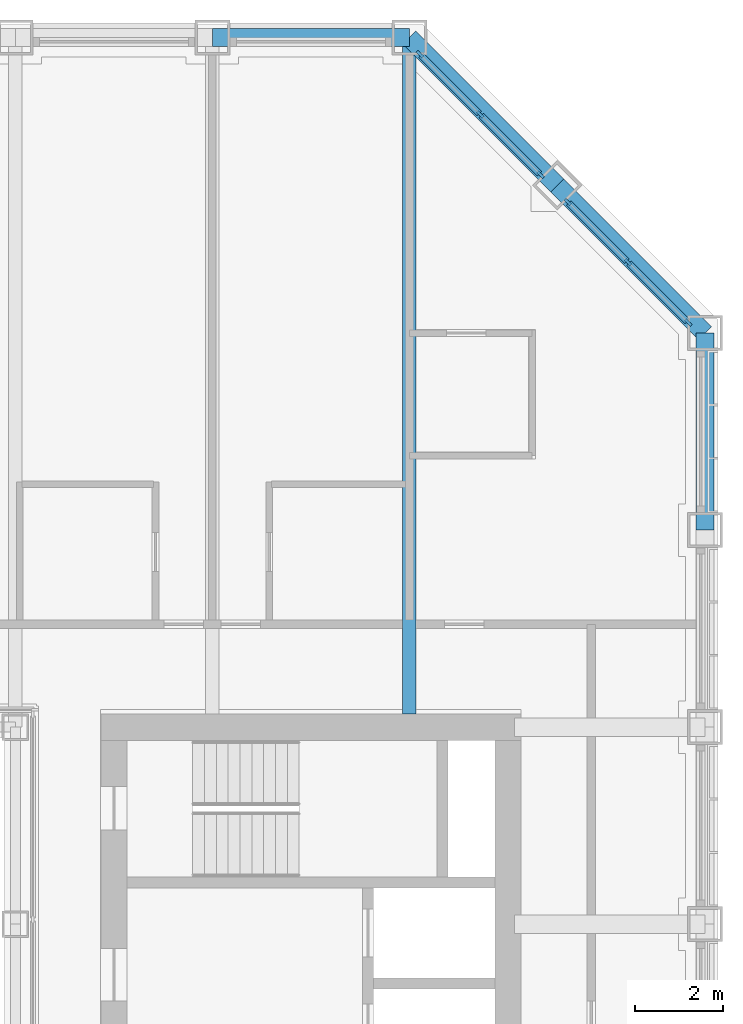
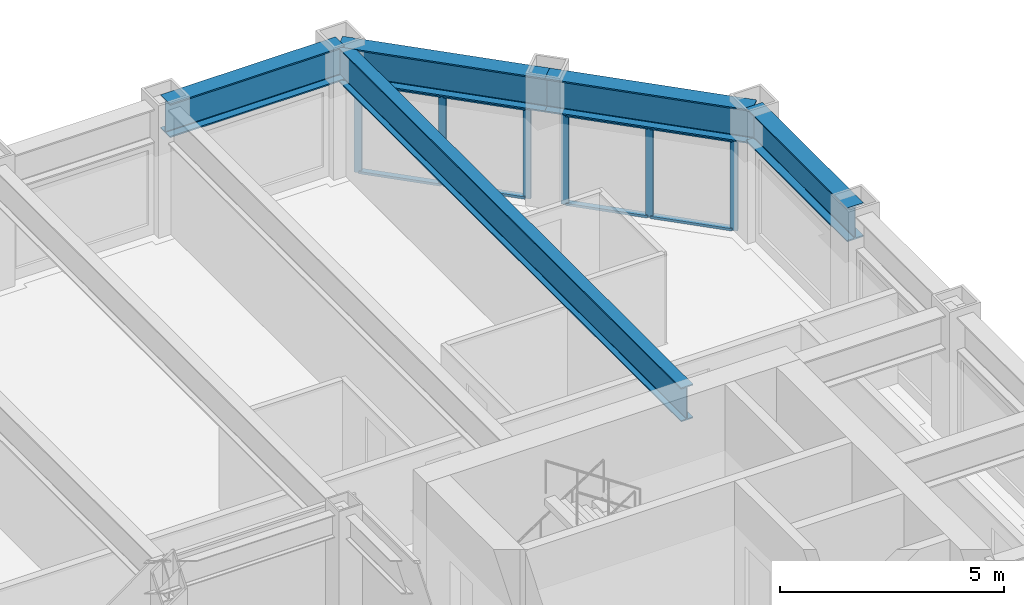
# One storey, part 8 of 17: 14 members, 5 beams, 2 elements without a shape of their own.
"""IFC4 building model written with IfcOpenShell, lengths in metres."""

import ifcopenshell
import ifcopenshell.guid

model = None  # the IFC model being written
_history = None  # IfcOwnerHistory: only IFC2X3 demands one
_inside = {}  # id of a spatial element -> (the spatial element, [elements in it])
_under = {}  # id of a project, library or spatial element -> (it, [spatial elements below it])
_declared = {}  # id of a project -> (the project, [libraries it declares])
_typed = {}  # id of a type object -> (the type object, [elements of that type])
_made_of = {}  # id of a material, layer set ... -> (it, [elements and type objects made of it])


def new_model(schema):
    """Start an empty IFC model of exactly this schema.

    Asked for "IFC4X3", IfcOpenShell would pick the latest addendum, in which some entities
    have other attributes; the version numbers below select the first issue.
    IFC2X3 requires an IfcOwnerHistory on every rooted entity: one is made here for all.
    """
    global model, _history
    if schema == "IFC4X3":
        model = ifcopenshell.file(schema_version=(4, 3, 0, 0))
    else:
        model = ifcopenshell.file(schema=schema)
    _inside.clear()
    _under.clear()
    _declared.clear()
    _typed.clear()
    _made_of.clear()
    _history = None
    if model.schema == "IFC2X3":
        org = make("IfcOrganization", Name="unknown")
        user = make(
            "IfcPersonAndOrganization",
            ThePerson=make("IfcPerson", FamilyName="unknown"),
            TheOrganization=org,
        )
        app = make(
            "IfcApplication",
            ApplicationDeveloper=org,
            Version="unknown",
            ApplicationFullName="unknown",
            ApplicationIdentifier="unknown",
        )
        _history = make(
            "IfcOwnerHistory",
            OwningUser=user,
            OwningApplication=app,
            ChangeAction="ADDED",
            CreationDate=0,
        )
    return model


def make(cls, **values):
    """One entity of the class cls with the attributes given. An attribute that is None is left unset."""
    return model.create_entity(
        cls, **{name: value for name, value in values.items() if value is not None}
    )


def rooted(cls, **values):
    """An entity with a GlobalId (a new one), such as an element, a storey or a relation."""
    return make(cls, GlobalId=ifcopenshell.guid.new(), OwnerHistory=_history, **values)


def si_unit(unit_type, name, prefix=None):
    """IfcSIUnit, for example si_unit("LENGTHUNIT", "METRE", prefix="MILLI")."""
    return make("IfcSIUnit", UnitType=unit_type, Prefix=prefix, Name=name)


def assignment(units):
    """IfcUnitAssignment: the units of a project."""
    return None if units is None else make("IfcUnitAssignment", Units=units)


def point(xyz):
    """IfcCartesianPoint."""
    return None if xyz is None else make("IfcCartesianPoint", Coordinates=xyz)


def direction(xyz):
    """IfcDirection."""
    return None if xyz is None else make("IfcDirection", DirectionRatios=xyz)


def frame(location, z_axis=None, x_axis=None):
    """IfcAxis2Placement3D, a coordinate frame: its origin and axes. An axis left out is left unset."""
    return make(
        "IfcAxis2Placement3D",
        Location=point(location),
        Axis=direction(z_axis),
        RefDirection=direction(x_axis),
    )


def frame_2d(location, x_axis=None):
    """IfcAxis2Placement2D, a coordinate frame in the plane: its origin and x axis."""
    return make(
        "IfcAxis2Placement2D", Location=point(location), RefDirection=direction(x_axis)
    )


def origin():
    """The frame at (0, 0, 0) with its axes left unset."""
    return frame((0.0, 0.0, 0.0))


def origin_2d():
    """The frame at (0, 0) in the plane with its x axis left unset."""
    return frame_2d((0.0, 0.0))


def place(relative_to, where):
    """IfcLocalPlacement: puts the frame where relative to a parent placement (None: the world)."""
    return make(
        "IfcLocalPlacement", PlacementRelTo=relative_to, RelativePlacement=where
    )


def context(
    kind, dimensions, precision=None, world=None, true_north=None, identifier=None
):
    """IfcGeometricRepresentationContext, for example the 3D "Model" context."""
    return make(
        "IfcGeometricRepresentationContext",
        ContextIdentifier=identifier,
        ContextType=kind,
        CoordinateSpaceDimension=dimensions,
        Precision=precision,
        WorldCoordinateSystem=world,
        TrueNorth=true_north,
    )


def subcontext(parent, identifier, kind, view, scale=None):
    """IfcGeometricRepresentationSubContext, for example "Body" below "Model"."""
    return make(
        "IfcGeometricRepresentationSubContext",
        ContextIdentifier=identifier,
        ContextType=kind,
        ParentContext=parent,
        TargetScale=scale,
        TargetView=view,
    )


def project(units=None, contexts=None):
    """IfcProject with its units and contexts."""
    return rooted(
        "IfcProject",
        Name="project",
        RepresentationContexts=contexts,
        UnitsInContext=assignment(units),
    )


def spatial(cls, under=None, at=None, **own):
    """A site, building, storey or space (cls), placed at a placement, below another one or the project."""
    s = rooted(cls, ObjectPlacement=at, **own)
    if under is not None:
        _under.setdefault(under.id(), (under, []))[1].append(s)
    return s


def profile(cls, at=None, kind="AREA", **sizes):
    """A parametric profile (cls). Its sizes go by their IFC names, for example OverallWidth=200.0."""
    return make(cls, ProfileType=kind, Position=at, **sizes)


def rectangle(**sizes):
    """IfcRectangleProfileDef."""
    return profile("IfcRectangleProfileDef", **sizes)


def i_section(**sizes):
    """IfcIShapeProfileDef."""
    return profile("IfcIShapeProfileDef", **sizes)


def extrude(swept, where, along, depth):
    """IfcExtrudedAreaSolid: the profile swept, set in the frame where, extruded along a direction by depth."""
    return make(
        "IfcExtrudedAreaSolid",
        SweptArea=swept,
        Position=where,
        ExtrudedDirection=direction(along),
        Depth=depth,
    )


def shape(context_of_items, identifier, shape_type, items):
    """IfcShapeRepresentation: the items that make up one representation, for example the "Body"."""
    return make(
        "IfcShapeRepresentation",
        ContextOfItems=context_of_items,
        RepresentationIdentifier=identifier,
        RepresentationType=shape_type,
        Items=items,
    )


def material(Name=None, Category=None):
    """IfcMaterial."""
    return make("IfcMaterial", Name=Name, Category=Category)


def material_profile(
    of_material, cross_section, Name=None, Category=None, Priority=None
):
    """IfcMaterialProfile: a cross section and its material."""
    return make(
        "IfcMaterialProfile",
        Name=Name,
        Material=of_material,
        Profile=cross_section,
        Priority=Priority,
        Category=Category,
    )


def profile_set(profiles, Name=None, composite=None):
    """IfcMaterialProfileSet."""
    return make(
        "IfcMaterialProfileSet",
        Name=Name,
        MaterialProfiles=profiles,
        CompositeProfile=composite,
    )


def made_of(thing, what):
    """Note that an element or type object is made of a material, layer set ...; save() writes the relation."""
    if what is not None:
        _made_of.setdefault(what.id(), (what, []))[1].append(thing)
    return thing


def type_object(cls, material=None, **own):
    """A type object (cls), such as IfcWallType, which elements share."""
    return made_of(rooted(cls, **own), material)


def element(
    cls,
    number,
    at=None,
    inside=None,
    cuts=None,
    type_object=None,
    material=None,
    context=None,
    identifier="Body",
    shape_type=None,
    held_by="IfcProductDefinitionShape",
    body=None,
    shapes=None,
    **own,
):
    """One element of the class cls, such as IfcWall. Its Tag is "e" and its number.

    at: its placement. inside: the storey or other place that contains it. cuts: it is an
    opening in that element (IfcRelVoidsElement). A single representation is given by context,
    identifier, shape_type and body (its items); several are given by shapes. held_by: the class
    of the entity that holds the representations. save() writes the other relations.
    """
    e = rooted(cls, Tag="e%d" % number, ObjectPlacement=at, **own)
    if body is not None:
        shapes = [shape(context, identifier, shape_type, body)]
    if shapes is not None:
        e.Representation = make(held_by, Representations=shapes)
    if inside is not None:
        _inside.setdefault(inside.id(), (inside, []))[1].append(e)
    if cuts is not None:
        rooted(
            "IfcRelVoidsElement", RelatingBuildingElement=cuts, RelatedOpeningElement=e
        )
    if type_object is not None:
        _typed.setdefault(type_object.id(), (type_object, []))[1].append(e)
    return made_of(e, material)


def aggregate(whole, parts):
    """IfcRelAggregates: a whole, such as a stair, and the parts it consists of."""
    return rooted("IfcRelAggregates", RelatingObject=whole, RelatedObjects=parts)


def save(model, path):
    """Write the relations noted so far, then the file.

    IfcRelAggregates (storeys below a building ...), IfcRelContainedInSpatialStructure (elements
    in a storey), IfcRelDefinesByType, IfcRelAssociatesMaterial and IfcRelDeclares: one each for
    every whole, place, type object, material and project.
    """
    for whole, parts in _under.values():
        aggregate(whole, parts)
    for where, things in _inside.values():
        rooted(
            "IfcRelContainedInSpatialStructure",
            RelatedElements=things,
            RelatingStructure=where,
        )
    for kind, things in _typed.values():
        rooted("IfcRelDefinesByType", RelatedObjects=things, RelatingType=kind)
    for what, things in _made_of.values():
        rooted("IfcRelAssociatesMaterial", RelatedObjects=things, RelatingMaterial=what)
    for by, libraries in _declared.values():
        rooted("IfcRelDeclares", RelatingContext=by, RelatedDefinitions=libraries)
    model.write(path)


model = new_model("IFC4")

# Units and contexts
model_context = context("Model", 3, precision=1e-05, world=origin(), true_north=direction((0.0, 1.0)))
body_context = subcontext(model_context, "Body", "Model", "MODEL_VIEW")
ifc_project = project(units=[si_unit("LENGTHUNIT", "METRE"), si_unit("AREAUNIT", "SQUARE_METRE"), si_unit("VOLUMEUNIT", "CUBIC_METRE"), si_unit("PLANEANGLEUNIT", "RADIAN"), si_unit("MASSUNIT", "GRAM", prefix="KILO")], contexts=[model_context])

# Site, building, storey
site_placement = place(None, origin())
site = spatial("IfcSite", under=ifc_project, at=site_placement, CompositionType="ELEMENT")
building_placement = place(site_placement, origin())
building = spatial("IfcBuilding", under=site, at=building_placement, Name="Msasa Ring Tower", CompositionType="ELEMENT")
storey_placement = place(building_placement, frame((0.0, 0.0, 136.39990234375)))
storey = spatial("IfcBuildingStorey", under=building, at=storey_placement, Name="L35", CompositionType="ELEMENT", Elevation=136.39990234375)

# Curtain wall, members
ifc_material_1 = material(Name="Aluminium curtain wall with clear glass", Category="aluminium")
curtain_wall_type = type_object("IfcCurtainWallType", Name="CW-C CHAMFER CORNER CURTAIN WALL", PredefinedType="NOTDEFINED", material=ifc_material_1)
curtain_wall_1_placement = place(storey_placement, origin())
curtain_wall_1 = element("IfcCurtainWall", 1, at=curtain_wall_1_placement, inside=storey, type_object=curtain_wall_type, Name="Chamfer corner curtain wall NE L35", PredefinedType="NOTDEFINED")
ifc_material_2 = material(Name="Aluminium mullion", Category="aluminium")
ifc_material_profile_1 = material_profile(ifc_material_2, rectangle(XDim=0.06494140625, YDim=0.179931640625, at=origin_2d()), Name="AL 65x180")
ifc_profile_set_1 = profile_set([ifc_material_profile_1], Name="Aluminium mullion")
member_type_1 = type_object("IfcMemberType", Name="CW-C MULLION 65x180", PredefinedType="MULLION", material=ifc_profile_set_1)
member_1_placement = place(storey_placement, frame((18.744873046875, 19.36376953125, 0.0), z_axis=(0.0, 0.0, 1.0), x_axis=(-0.707106781187, -0.707106781187, 0.0)))
member_1 = element("IfcMember", 2, at=member_1_placement, type_object=member_type_1, Name="CW-C mullion 1", PredefinedType="MULLION", context=body_context, shape_type="SweptSolid", body=[
    extrude(rectangle(XDim=0.06494140625, YDim=0.179931640625, at=origin_2d()), origin(), (0.0, 0.0, 1.0), 2.47900390625),
])
member_2_placement = place(storey_placement, frame((17.36669921875, 20.74169921875, 0.0), z_axis=(0.0, 0.0, 1.0), x_axis=(-0.707106781187, -0.707106781187, 0.0)))
member_2 = element("IfcMember", 3, at=member_2_placement, type_object=member_type_1, Name="CW-C mullion 2", PredefinedType="MULLION", context=body_context, shape_type="SweptSolid", body=[
    extrude(rectangle(XDim=0.06494140625, YDim=0.179931640625, at=origin_2d()), origin(), (0.0, 0.0, 1.0), 2.47900390625),
])
member_3_placement = place(storey_placement, frame((15.98876953125, 22.119873046875, 0.0), z_axis=(0.0, 0.0, 1.0), x_axis=(-0.707106781187, -0.707106781187, 0.0)))
member_3 = element("IfcMember", 4, at=member_3_placement, type_object=member_type_1, Name="CW-C mullion 3", PredefinedType="MULLION", context=body_context, shape_type="SweptSolid", body=[
    extrude(rectangle(XDim=0.06494140625, YDim=0.179931640625, at=origin_2d()), origin(), (0.0, 0.0, 1.0), 2.47900390625),
])

curtain_wall_2_placement = place(storey_placement, origin())
curtain_wall_2 = element("IfcCurtainWall", 5, at=curtain_wall_2_placement, inside=storey, type_object=curtain_wall_type, Name="Chamfer corner curtain wall NE L35", PredefinedType="NOTDEFINED")
member_4_placement = place(storey_placement, frame((22.119873046875, 15.98876953125, 0.0), z_axis=(0.0, 0.0, 1.0), x_axis=(-0.707106781187, -0.707106781187, 0.0)))
member_4 = element("IfcMember", 6, at=member_4_placement, type_object=member_type_1, Name="CW-C mullion 1", PredefinedType="MULLION", context=body_context, shape_type="SweptSolid", body=[
    extrude(rectangle(XDim=0.06494140625, YDim=0.179931640625, at=origin_2d()), origin(), (0.0, 0.0, 1.0), 2.47900390625),
])
member_5_placement = place(storey_placement, frame((20.74169921875, 17.36669921875, 0.0), z_axis=(0.0, 0.0, 1.0), x_axis=(-0.707106781187, -0.707106781187, 0.0)))
member_5 = element("IfcMember", 7, at=member_5_placement, type_object=member_type_1, Name="CW-C mullion 2", PredefinedType="MULLION", context=body_context, shape_type="SweptSolid", body=[
    extrude(rectangle(XDim=0.06494140625, YDim=0.179931640625, at=origin_2d()), origin(), (0.0, 0.0, 1.0), 2.47900390625),
])
member_6_placement = place(storey_placement, frame((19.36376953125, 18.744873046875, 0.0), z_axis=(0.0, 0.0, 1.0), x_axis=(-0.707106781187, -0.707106781187, 0.0)))
member_6 = element("IfcMember", 8, at=member_6_placement, type_object=member_type_1, Name="CW-C mullion 3", PredefinedType="MULLION", context=body_context, shape_type="SweptSolid", body=[
    extrude(rectangle(XDim=0.06494140625, YDim=0.179931640625, at=origin_2d()), origin(), (0.0, 0.0, 1.0), 2.47900390625),
])

# Member
ifc_material_3 = material(Name="Aluminium transom", Category="aluminium")
ifc_material_profile_2 = material_profile(ifc_material_3, rectangle(XDim=0.139892578125, YDim=0.06494140625, at=origin_2d()), Name="AL 65x140")
ifc_profile_set_2 = profile_set([ifc_material_profile_2], Name="Aluminium transom")
member_type_2 = type_object("IfcMemberType", Name="CW-C TRANSOM 65x140", PredefinedType="USERDEFINED", material=ifc_profile_set_2)
member_7_placement = place(storey_placement, frame((18.721923828125, 19.38671875, 0.03271484375), z_axis=(-0.707106781187, 0.707106781187, 0.0), x_axis=(-0.707106781187, -0.707106781187, 0.0)))
member_7 = element("IfcMember", 9, at=member_7_placement, type_object=member_type_2, Name="CW-C transom 1.1", ObjectType="TRANSOM", PredefinedType="USERDEFINED", context=body_context, shape_type="SweptSolid", body=[
    extrude(rectangle(XDim=0.139892578125, YDim=0.06494140625, at=origin_2d()), origin(), (0.0, 0.0, 1.0), 1.8837890625),
])

member_8_placement = place(storey_placement, frame((18.721923828125, 19.38671875, 2.446533203125), z_axis=(-0.707106781187, 0.707106781187, 0.0), x_axis=(-0.707106781187, -0.707106781187, 0.0)))
member_8 = element("IfcMember", 10, at=member_8_placement, type_object=member_type_2, Name="CW-C transom 1.2", ObjectType="TRANSOM", PredefinedType="USERDEFINED", context=body_context, shape_type="SweptSolid", body=[
    extrude(rectangle(XDim=0.139892578125, YDim=0.06494140625, at=origin_2d()), origin(), (0.0, 0.0, 1.0), 1.8837890625),
])

member_9_placement = place(storey_placement, frame((17.34375, 20.764892578125, 0.03271484375), z_axis=(-0.707106781187, 0.707106781187, 0.0), x_axis=(-0.707106781187, -0.707106781187, 0.0)))
member_9 = element("IfcMember", 11, at=member_9_placement, type_object=member_type_2, Name="CW-C transom 2.1", ObjectType="TRANSOM", PredefinedType="USERDEFINED", context=body_context, shape_type="SweptSolid", body=[
    extrude(rectangle(XDim=0.139892578125, YDim=0.06494140625, at=origin_2d()), origin(), (0.0, 0.0, 1.0), 1.8837890625),
])

member_10_placement = place(storey_placement, frame((17.34375, 20.764892578125, 2.446533203125), z_axis=(-0.707106781187, 0.707106781187, 0.0), x_axis=(-0.707106781187, -0.707106781187, 0.0)))
member_10 = element("IfcMember", 12, at=member_10_placement, type_object=member_type_2, Name="CW-C transom 2.2", ObjectType="TRANSOM", PredefinedType="USERDEFINED", context=body_context, shape_type="SweptSolid", body=[
    extrude(rectangle(XDim=0.139892578125, YDim=0.06494140625, at=origin_2d()), origin(), (0.0, 0.0, 1.0), 1.8837890625),
])

aggregate(curtain_wall_1, [member_1, member_2, member_3, member_7, member_8, member_9, member_10])

member_11_placement = place(storey_placement, frame((22.096923828125, 16.01171875, 0.03271484375), z_axis=(-0.707106781187, 0.707106781187, 0.0), x_axis=(-0.707106781187, -0.707106781187, 0.0)))
member_11 = element("IfcMember", 13, at=member_11_placement, type_object=member_type_2, Name="CW-C transom 1.1", ObjectType="TRANSOM", PredefinedType="USERDEFINED", context=body_context, shape_type="SweptSolid", body=[
    extrude(rectangle(XDim=0.139892578125, YDim=0.06494140625, at=origin_2d()), origin(), (0.0, 0.0, 1.0), 1.8837890625),
])

member_12_placement = place(storey_placement, frame((22.096923828125, 16.01171875, 2.446533203125), z_axis=(-0.707106781187, 0.707106781187, 0.0), x_axis=(-0.707106781187, -0.707106781187, 0.0)))
member_12 = element("IfcMember", 14, at=member_12_placement, type_object=member_type_2, Name="CW-C transom 1.2", ObjectType="TRANSOM", PredefinedType="USERDEFINED", context=body_context, shape_type="SweptSolid", body=[
    extrude(rectangle(XDim=0.139892578125, YDim=0.06494140625, at=origin_2d()), origin(), (0.0, 0.0, 1.0), 1.8837890625),
])

member_13_placement = place(storey_placement, frame((20.71875, 17.389892578125, 0.03271484375), z_axis=(-0.707106781187, 0.707106781187, 0.0), x_axis=(-0.707106781187, -0.707106781187, 0.0)))
member_13 = element("IfcMember", 15, at=member_13_placement, type_object=member_type_2, Name="CW-C transom 2.1", ObjectType="TRANSOM", PredefinedType="USERDEFINED", context=body_context, shape_type="SweptSolid", body=[
    extrude(rectangle(XDim=0.139892578125, YDim=0.06494140625, at=origin_2d()), origin(), (0.0, 0.0, 1.0), 1.8837890625),
])

member_14_placement = place(storey_placement, frame((20.71875, 17.389892578125, 2.446533203125), z_axis=(-0.707106781187, 0.707106781187, 0.0), x_axis=(-0.707106781187, -0.707106781187, 0.0)))
member_14 = element("IfcMember", 16, at=member_14_placement, type_object=member_type_2, Name="CW-C transom 2.2", ObjectType="TRANSOM", PredefinedType="USERDEFINED", context=body_context, shape_type="SweptSolid", body=[
    extrude(rectangle(XDim=0.139892578125, YDim=0.06494140625, at=origin_2d()), origin(), (0.0, 0.0, 1.0), 1.8837890625),
])

aggregate(curtain_wall_2, [member_4, member_5, member_6, member_11, member_12, member_13, member_14])

# Beams
ifc_material_4 = material(Name="Steel S355", Category="steel")
ifc_material_profile_3 = material_profile(ifc_material_4, i_section(OverallWidth=0.3076171875, OverallDepth=0.926513671875, WebThickness=0.01953125, FlangeThickness=0.031982421875, FilletRadius=0.01904296875, at=origin_2d()), Name="UB 914x305x289")
ifc_profile_set_3 = profile_set([ifc_material_profile_3], Name="Steel S355")
beam_type_1 = type_object("IfcBeamType", Name="FB3 UB 914x305x289", PredefinedType="BEAM", material=ifc_profile_set_3)
beam_1_placement = place(storey_placement, frame((15.75, 22.5, 2.936767578125), z_axis=(0.0, -1.0, 0.0), x_axis=(1.0, 0.0, 0.0)))
element("IfcBeam", 17, at=beam_1_placement, inside=storey, type_object=beam_type_1, Name="Floor beam N+15.75 under L36", PredefinedType="BEAM", context=body_context, shape_type="SweptSolid", body=[
    extrude(i_section(OverallWidth=0.3076171875, OverallDepth=0.926513671875, WebThickness=0.01953125, FlangeThickness=0.031982421875, FilletRadius=0.01904296875, at=origin_2d()), origin(), (0.0, 0.0, 1.0), 15.449951171875),
])
ifc_material_5 = material(Name="Steel S355", Category="steel")
ifc_material_profile_4 = material_profile(ifc_material_5, i_section(OverallWidth=0.42041015625, OverallDepth=0.9208984375, WebThickness=0.021484375, FlangeThickness=0.03662109375, FilletRadius=0.024169921875, at=origin_2d()), Name="UB 914x419x388")
ifc_profile_set_4 = profile_set([ifc_material_profile_4], Name="Steel S355")
beam_type_2 = type_object("IfcBeamType", Name="SB1 UB 914x419x388", PredefinedType="SPANDREL", material=ifc_profile_set_4)
beam_2_placement = place(storey_placement, frame((22.5, 11.25, 2.939697265625), z_axis=(0.0, 1.0, 0.0), x_axis=(-1.0, 0.0, 0.0)))
element("IfcBeam", 18, at=beam_2_placement, inside=storey, type_object=beam_type_2, Name="Spandrel E+11.25 to E+15.75 under L36", PredefinedType="SPANDREL", context=body_context, shape_type="SweptSolid", body=[
    extrude(i_section(OverallWidth=0.42041015625, OverallDepth=0.9208984375, WebThickness=0.021484375, FlangeThickness=0.03662109375, FilletRadius=0.024169921875, at=origin_2d()), origin(), (0.0, 0.0, 1.0), 4.5),
])
for number, where, z_axis, x_axis, name in (
    (19, (22.5, 15.75, 2.939697265625), (-0.707106781187, 0.707106781187, 0.0), (-0.707106781187, -0.707106781187, 0.0), "Spandrel E+15.75 to NE under L36"),
    (20, (19.125, 19.125, 2.939697265625), (-0.707106781187, 0.707106781187, 0.0), (-0.707106781187, -0.707106781187, 0.0), "Spandrel NE to N+15.75 under L36"),
):
    element("IfcBeam", number, at=place(storey_placement, frame(where, z_axis=z_axis, x_axis=x_axis)), inside=storey, type_object=beam_type_2, Name=name, PredefinedType="SPANDREL", context=body_context, shape_type="SweptSolid", body=[
        extrude(i_section(OverallWidth=0.42041015625, OverallDepth=0.9208984375, WebThickness=0.021484375, FlangeThickness=0.03662109375, FilletRadius=0.024169921875, at=origin_2d()), origin(), (0.0, 0.0, 1.0), 4.77294921875),
    ])
beam_3_placement = place(storey_placement, frame((15.75, 22.5, 2.939697265625), z_axis=(-1.0, 0.0, 0.0), x_axis=(0.0, -1.0, 0.0)))
element("IfcBeam", 21, at=beam_3_placement, inside=storey, type_object=beam_type_2, Name="Spandrel N+15.75 to N+11.25 under L36", PredefinedType="SPANDREL", context=body_context, shape_type="SweptSolid", body=[
    extrude(i_section(OverallWidth=0.42041015625, OverallDepth=0.9208984375, WebThickness=0.021484375, FlangeThickness=0.03662109375, FilletRadius=0.024169921875, at=origin_2d()), origin(), (0.0, 0.0, 1.0), 4.5),
])

save(model, "model.ifc")
